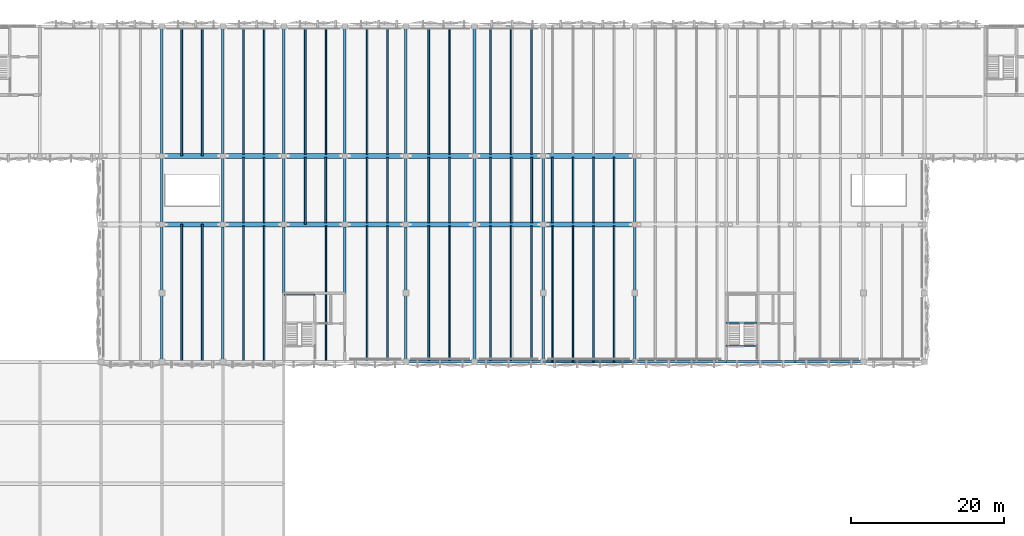
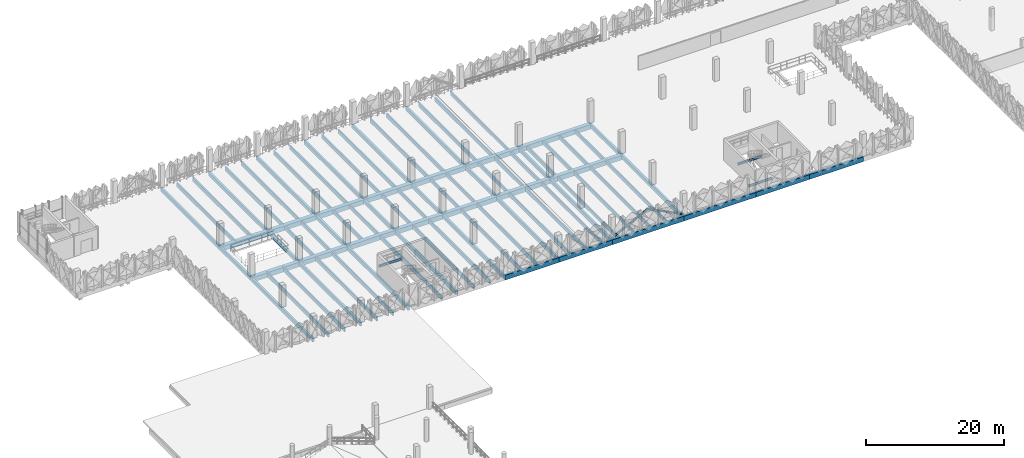
# One storey, part 14 of 76: 89 beams, 2 members.
"""IFC4 building model written with IfcOpenShell, lengths in metres."""

import ifcopenshell
import ifcopenshell.guid

model = None  # the IFC model being written
_history = None  # IfcOwnerHistory: only IFC2X3 demands one
_inside = {}  # id of a spatial element -> (the spatial element, [elements in it])
_under = {}  # id of a project, library or spatial element -> (it, [spatial elements below it])
_declared = {}  # id of a project -> (the project, [libraries it declares])
_typed = {}  # id of a type object -> (the type object, [elements of that type])
_made_of = {}  # id of a material, layer set ... -> (it, [elements and type objects made of it])


def new_model(schema):
    """Start an empty IFC model of exactly this schema.

    Asked for "IFC4X3", IfcOpenShell would pick the latest addendum, in which some entities
    have other attributes; the version numbers below select the first issue.
    IFC2X3 requires an IfcOwnerHistory on every rooted entity: one is made here for all.
    """
    global model, _history
    if schema == "IFC4X3":
        model = ifcopenshell.file(schema_version=(4, 3, 0, 0))
    else:
        model = ifcopenshell.file(schema=schema)
    _inside.clear()
    _under.clear()
    _declared.clear()
    _typed.clear()
    _made_of.clear()
    _history = None
    if model.schema == "IFC2X3":
        org = make("IfcOrganization", Name="unknown")
        user = make(
            "IfcPersonAndOrganization",
            ThePerson=make("IfcPerson", FamilyName="unknown"),
            TheOrganization=org,
        )
        app = make(
            "IfcApplication",
            ApplicationDeveloper=org,
            Version="unknown",
            ApplicationFullName="unknown",
            ApplicationIdentifier="unknown",
        )
        _history = make(
            "IfcOwnerHistory",
            OwningUser=user,
            OwningApplication=app,
            ChangeAction="ADDED",
            CreationDate=0,
        )
    return model


def make(cls, **values):
    """One entity of the class cls with the attributes given. An attribute that is None is left unset."""
    return model.create_entity(
        cls, **{name: value for name, value in values.items() if value is not None}
    )


def rooted(cls, **values):
    """An entity with a GlobalId (a new one), such as an element, a storey or a relation."""
    return make(cls, GlobalId=ifcopenshell.guid.new(), OwnerHistory=_history, **values)


def si_unit(unit_type, name, prefix=None):
    """IfcSIUnit, for example si_unit("LENGTHUNIT", "METRE", prefix="MILLI")."""
    return make("IfcSIUnit", UnitType=unit_type, Prefix=prefix, Name=name)


def derived_unit(unit_type, elements):
    """IfcDerivedUnit: a product of units, each with its exponent."""
    return make(
        "IfcDerivedUnit",
        Elements=[
            make("IfcDerivedUnitElement", Unit=unit, Exponent=power)
            for unit, power in elements
        ],
        UnitType=unit_type,
    )


def assignment(units):
    """IfcUnitAssignment: the units of a project."""
    return None if units is None else make("IfcUnitAssignment", Units=units)


def point(xyz):
    """IfcCartesianPoint."""
    return None if xyz is None else make("IfcCartesianPoint", Coordinates=xyz)


def direction(xyz):
    """IfcDirection."""
    return None if xyz is None else make("IfcDirection", DirectionRatios=xyz)


def frame(location, z_axis=None, x_axis=None):
    """IfcAxis2Placement3D, a coordinate frame: its origin and axes. An axis left out is left unset."""
    return make(
        "IfcAxis2Placement3D",
        Location=point(location),
        Axis=direction(z_axis),
        RefDirection=direction(x_axis),
    )


def frame_2d(location, x_axis=None):
    """IfcAxis2Placement2D, a coordinate frame in the plane: its origin and x axis."""
    return make(
        "IfcAxis2Placement2D", Location=point(location), RefDirection=direction(x_axis)
    )


def origin():
    """The frame at (0, 0, 0) with its axes left unset."""
    return frame((0.0, 0.0, 0.0))


def origin_2d():
    """The frame at (0, 0) in the plane with its x axis left unset."""
    return frame_2d((0.0, 0.0))


def place(relative_to, where):
    """IfcLocalPlacement: puts the frame where relative to a parent placement (None: the world)."""
    return make(
        "IfcLocalPlacement", PlacementRelTo=relative_to, RelativePlacement=where
    )


def context(
    kind, dimensions, precision=None, world=None, true_north=None, identifier=None
):
    """IfcGeometricRepresentationContext, for example the 3D "Model" context."""
    return make(
        "IfcGeometricRepresentationContext",
        ContextIdentifier=identifier,
        ContextType=kind,
        CoordinateSpaceDimension=dimensions,
        Precision=precision,
        WorldCoordinateSystem=world,
        TrueNorth=true_north,
    )


def subcontext(parent, identifier, kind, view, scale=None):
    """IfcGeometricRepresentationSubContext, for example "Body" below "Model"."""
    return make(
        "IfcGeometricRepresentationSubContext",
        ContextIdentifier=identifier,
        ContextType=kind,
        ParentContext=parent,
        TargetScale=scale,
        TargetView=view,
    )


def project(units=None, contexts=None):
    """IfcProject with its units and contexts."""
    return rooted(
        "IfcProject",
        Name="project",
        RepresentationContexts=contexts,
        UnitsInContext=assignment(units),
    )


def spatial(cls, under=None, at=None, **own):
    """A site, building, storey or space (cls), placed at a placement, below another one or the project."""
    s = rooted(cls, ObjectPlacement=at, **own)
    if under is not None:
        _under.setdefault(under.id(), (under, []))[1].append(s)
    return s


def profile(cls, at=None, kind="AREA", **sizes):
    """A parametric profile (cls). Its sizes go by their IFC names, for example OverallWidth=200.0."""
    return make(cls, ProfileType=kind, Position=at, **sizes)


def rectangle(**sizes):
    """IfcRectangleProfileDef."""
    return profile("IfcRectangleProfileDef", **sizes)


def hollow_circle(**sizes):
    """IfcCircleHollowProfileDef."""
    return profile("IfcCircleHollowProfileDef", **sizes)


def i_section(**sizes):
    """IfcIShapeProfileDef."""
    return profile("IfcIShapeProfileDef", **sizes)


def extrude(swept, where, along, depth):
    """IfcExtrudedAreaSolid: the profile swept, set in the frame where, extruded along a direction by depth."""
    return make(
        "IfcExtrudedAreaSolid",
        SweptArea=swept,
        Position=where,
        ExtrudedDirection=direction(along),
        Depth=depth,
    )


def shape(context_of_items, identifier, shape_type, items):
    """IfcShapeRepresentation: the items that make up one representation, for example the "Body"."""
    return make(
        "IfcShapeRepresentation",
        ContextOfItems=context_of_items,
        RepresentationIdentifier=identifier,
        RepresentationType=shape_type,
        Items=items,
    )


def material(Name=None, Category=None):
    """IfcMaterial."""
    return make("IfcMaterial", Name=Name, Category=Category)


def material_profile(
    of_material, cross_section, Name=None, Category=None, Priority=None
):
    """IfcMaterialProfile: a cross section and its material."""
    return make(
        "IfcMaterialProfile",
        Name=Name,
        Material=of_material,
        Profile=cross_section,
        Priority=Priority,
        Category=Category,
    )


def profile_set(profiles, Name=None, composite=None):
    """IfcMaterialProfileSet."""
    return make(
        "IfcMaterialProfileSet",
        Name=Name,
        MaterialProfiles=profiles,
        CompositeProfile=composite,
    )


def made_of(thing, what):
    """Note that an element or type object is made of a material, layer set ...; save() writes the relation."""
    if what is not None:
        _made_of.setdefault(what.id(), (what, []))[1].append(thing)
    return thing


def type_object(cls, material=None, **own):
    """A type object (cls), such as IfcWallType, which elements share."""
    return made_of(rooted(cls, **own), material)


def element(
    cls,
    number,
    at=None,
    inside=None,
    cuts=None,
    type_object=None,
    material=None,
    context=None,
    identifier="Body",
    shape_type=None,
    held_by="IfcProductDefinitionShape",
    body=None,
    shapes=None,
    **own,
):
    """One element of the class cls, such as IfcWall. Its Tag is "e" and its number.

    at: its placement. inside: the storey or other place that contains it. cuts: it is an
    opening in that element (IfcRelVoidsElement). A single representation is given by context,
    identifier, shape_type and body (its items); several are given by shapes. held_by: the class
    of the entity that holds the representations. save() writes the other relations.
    """
    e = rooted(cls, Tag="e%d" % number, ObjectPlacement=at, **own)
    if body is not None:
        shapes = [shape(context, identifier, shape_type, body)]
    if shapes is not None:
        e.Representation = make(held_by, Representations=shapes)
    if inside is not None:
        _inside.setdefault(inside.id(), (inside, []))[1].append(e)
    if cuts is not None:
        rooted(
            "IfcRelVoidsElement", RelatingBuildingElement=cuts, RelatedOpeningElement=e
        )
    if type_object is not None:
        _typed.setdefault(type_object.id(), (type_object, []))[1].append(e)
    return made_of(e, material)


def aggregate(whole, parts):
    """IfcRelAggregates: a whole, such as a stair, and the parts it consists of."""
    return rooted("IfcRelAggregates", RelatingObject=whole, RelatedObjects=parts)


def save(model, path):
    """Write the relations noted so far, then the file.

    IfcRelAggregates (storeys below a building ...), IfcRelContainedInSpatialStructure (elements
    in a storey), IfcRelDefinesByType, IfcRelAssociatesMaterial and IfcRelDeclares: one each for
    every whole, place, type object, material and project.
    """
    for whole, parts in _under.values():
        aggregate(whole, parts)
    for where, things in _inside.values():
        rooted(
            "IfcRelContainedInSpatialStructure",
            RelatedElements=things,
            RelatingStructure=where,
        )
    for kind, things in _typed.values():
        rooted("IfcRelDefinesByType", RelatedObjects=things, RelatingType=kind)
    for what, things in _made_of.values():
        rooted("IfcRelAssociatesMaterial", RelatedObjects=things, RelatingMaterial=what)
    for by, libraries in _declared.values():
        rooted("IfcRelDeclares", RelatingContext=by, RelatedDefinitions=libraries)
    model.write(path)


model = new_model("IFC4")

# Units and contexts
model_context = context("Model", 3, precision=1e-05, world=origin(), true_north=direction((0.0, 1.0)))
body_context = subcontext(model_context, "Body", "Model", "MODEL_VIEW")
ifc_project = project(units=[si_unit("LENGTHUNIT", "METRE"), si_unit("AREAUNIT", "SQUARE_METRE"), si_unit("VOLUMEUNIT", "CUBIC_METRE"), si_unit("PLANEANGLEUNIT", "RADIAN"), si_unit("MASSUNIT", "GRAM", prefix="KILO"), si_unit("THERMODYNAMICTEMPERATUREUNIT", "KELVIN"), derived_unit("THERMALTRANSMITTANCEUNIT", [(si_unit("POWERUNIT", "WATT"), 1), (si_unit("AREAUNIT", "SQUARE_METRE"), -1), (si_unit("THERMODYNAMICTEMPERATUREUNIT", "KELVIN"), -1)])], contexts=[model_context])

# Site, building, storey
site_placement = place(None, origin())
site = spatial("IfcSite", under=ifc_project, at=site_placement, CompositionType="ELEMENT")
building_placement = place(site_placement, origin())
building = spatial("IfcBuilding", under=site, at=building_placement, Name="Haiyu Intermodal Mobility Hub", CompositionType="ELEMENT")
storey_placement = place(building_placement, frame((0.0, 0.0, 17.300048828125)))
storey = spatial("IfcBuildingStorey", under=building, at=storey_placement, Name="L04", CompositionType="ELEMENT", Elevation=17.300048828125)

# Beams
ifc_material_1 = material(Name="Concrete C40", Category="concrete")
ifc_material_profile_1 = material_profile(ifc_material_1, rectangle(XDim=0.35009765625, YDim=0.64990234375, at=origin_2d()), Name="RCB350x650")
ifc_profile_set_1 = profile_set([ifc_material_profile_1], Name="Concrete C40")
beam_type_1 = type_object("IfcBeamType", Name="BM-CB04", PredefinedType="BEAM", material=ifc_profile_set_1)
beam_1_placement = place(storey_placement, frame((46.0, 104.0, -0.60009765625), z_axis=(0.0, 1.0, 0.0), x_axis=(-1.0, 0.0, 0.0)))
element("IfcBeam", 1, at=beam_1_placement, inside=storey, type_object=beam_type_1, Name="BM-V4E-L04-006", PredefinedType="BEAM", context=body_context, shape_type="SweptSolid", body=[
    extrude(rectangle(XDim=0.35009765625, YDim=0.64990234375, at=origin_2d()), origin(), (0.0, 0.0, 1.0), 18.0),
])
beam_2_placement = place(storey_placement, frame((46.0, 122.0, -0.60009765625), z_axis=(0.0, 1.0, 0.0), x_axis=(-1.0, 0.0, 0.0)))
element("IfcBeam", 2, at=beam_2_placement, inside=storey, type_object=beam_type_1, Name="BM-V4E-L04-007", PredefinedType="BEAM", context=body_context, shape_type="SweptSolid", body=[
    extrude(rectangle(XDim=0.35009765625, YDim=0.64990234375, at=origin_2d()), origin(), (0.0, 0.0, 1.0), 9.0),
])
beam_3_placement = place(storey_placement, frame((46.0, 131.0, -0.60009765625), z_axis=(0.0, 1.0, 0.0), x_axis=(-1.0, 0.0, 0.0)))
element("IfcBeam", 3, at=beam_3_placement, inside=storey, type_object=beam_type_1, Name="BM-V4E-L04-008", PredefinedType="BEAM", context=body_context, shape_type="SweptSolid", body=[
    extrude(rectangle(XDim=0.35009765625, YDim=0.64990234375, at=origin_2d()), origin(), (0.0, 0.0, 1.0), 17.0),
])
beam_4_placement = place(storey_placement, frame((54.0, 104.0, -0.60009765625), z_axis=(0.0, 1.0, 0.0), x_axis=(-1.0, 0.0, 0.0)))
element("IfcBeam", 4, at=beam_4_placement, inside=storey, type_object=beam_type_1, Name="BM-V4E-L04-009", PredefinedType="BEAM", context=body_context, shape_type="SweptSolid", body=[
    extrude(rectangle(XDim=0.35009765625, YDim=0.64990234375, at=origin_2d()), origin(), (0.0, 0.0, 1.0), 18.0),
])
beam_5_placement = place(storey_placement, frame((54.0, 122.0, -0.60009765625), z_axis=(0.0, 1.0, 0.0), x_axis=(-1.0, 0.0, 0.0)))
element("IfcBeam", 5, at=beam_5_placement, inside=storey, type_object=beam_type_1, Name="BM-V4E-L04-010", PredefinedType="BEAM", context=body_context, shape_type="SweptSolid", body=[
    extrude(rectangle(XDim=0.35009765625, YDim=0.64990234375, at=origin_2d()), origin(), (0.0, 0.0, 1.0), 9.0),
])
beam_6_placement = place(storey_placement, frame((54.0, 131.0, -0.60009765625), z_axis=(0.0, 1.0, 0.0), x_axis=(-1.0, 0.0, 0.0)))
element("IfcBeam", 6, at=beam_6_placement, inside=storey, type_object=beam_type_1, Name="BM-V4E-L04-011", PredefinedType="BEAM", context=body_context, shape_type="SweptSolid", body=[
    extrude(rectangle(XDim=0.35009765625, YDim=0.64990234375, at=origin_2d()), origin(), (0.0, 0.0, 1.0), 17.0),
])
beam_7_placement = place(storey_placement, frame((62.0, 104.0, -0.60009765625), z_axis=(0.0, 1.0, 0.0), x_axis=(-1.0, 0.0, 0.0)))
element("IfcBeam", 7, at=beam_7_placement, inside=storey, type_object=beam_type_1, Name="BM-V4E-L04-012", PredefinedType="BEAM", context=body_context, shape_type="SweptSolid", body=[
    extrude(rectangle(XDim=0.35009765625, YDim=0.64990234375, at=origin_2d()), origin(), (0.0, 0.0, 1.0), 18.0),
])
beam_8_placement = place(storey_placement, frame((62.0, 122.0, -0.60009765625), z_axis=(0.0, 1.0, 0.0), x_axis=(-1.0, 0.0, 0.0)))
element("IfcBeam", 8, at=beam_8_placement, inside=storey, type_object=beam_type_1, Name="BM-V4E-L04-013", PredefinedType="BEAM", context=body_context, shape_type="SweptSolid", body=[
    extrude(rectangle(XDim=0.35009765625, YDim=0.64990234375, at=origin_2d()), origin(), (0.0, 0.0, 1.0), 9.0),
])
beam_9_placement = place(storey_placement, frame((62.0, 131.0, -0.60009765625), z_axis=(0.0, 1.0, 0.0), x_axis=(-1.0, 0.0, 0.0)))
element("IfcBeam", 9, at=beam_9_placement, inside=storey, type_object=beam_type_1, Name="BM-V4E-L04-014", PredefinedType="BEAM", context=body_context, shape_type="SweptSolid", body=[
    extrude(rectangle(XDim=0.35009765625, YDim=0.64990234375, at=origin_2d()), origin(), (0.0, 0.0, 1.0), 17.0),
])
beam_10_placement = place(storey_placement, frame((70.0, 104.0, -0.60009765625), z_axis=(0.0, 1.0, 0.0), x_axis=(-1.0, 0.0, 0.0)))
element("IfcBeam", 10, at=beam_10_placement, inside=storey, type_object=beam_type_1, Name="BM-V4E-L04-015", PredefinedType="BEAM", context=body_context, shape_type="SweptSolid", body=[
    extrude(rectangle(XDim=0.35009765625, YDim=0.64990234375, at=origin_2d()), origin(), (0.0, 0.0, 1.0), 18.0),
])
beam_11_placement = place(storey_placement, frame((70.0, 122.0, -0.60009765625), z_axis=(0.0, 1.0, 0.0), x_axis=(-1.0, 0.0, 0.0)))
element("IfcBeam", 11, at=beam_11_placement, inside=storey, type_object=beam_type_1, Name="BM-V4E-L04-016", PredefinedType="BEAM", context=body_context, shape_type="SweptSolid", body=[
    extrude(rectangle(XDim=0.35009765625, YDim=0.64990234375, at=origin_2d()), origin(), (0.0, 0.0, 1.0), 9.0),
])
beam_12_placement = place(storey_placement, frame((70.0, 131.0, -0.60009765625), z_axis=(0.0, 1.0, 0.0), x_axis=(-1.0, 0.0, 0.0)))
element("IfcBeam", 12, at=beam_12_placement, inside=storey, type_object=beam_type_1, Name="BM-V4E-L04-017", PredefinedType="BEAM", context=body_context, shape_type="SweptSolid", body=[
    extrude(rectangle(XDim=0.35009765625, YDim=0.64990234375, at=origin_2d()), origin(), (0.0, 0.0, 1.0), 17.0),
])
beam_13_placement = place(storey_placement, frame((78.0, 104.0, -0.60009765625), z_axis=(0.0, 1.0, 0.0), x_axis=(-1.0, 0.0, 0.0)))
element("IfcBeam", 13, at=beam_13_placement, inside=storey, type_object=beam_type_1, Name="BM-V4E-L04-018", PredefinedType="BEAM", context=body_context, shape_type="SweptSolid", body=[
    extrude(rectangle(XDim=0.35009765625, YDim=0.64990234375, at=origin_2d()), origin(), (0.0, 0.0, 1.0), 18.0),
])
beam_14_placement = place(storey_placement, frame((78.0, 122.0, -0.60009765625), z_axis=(0.0, 1.0, 0.0), x_axis=(-1.0, 0.0, 0.0)))
element("IfcBeam", 14, at=beam_14_placement, inside=storey, type_object=beam_type_1, Name="BM-V4E-L04-019", PredefinedType="BEAM", context=body_context, shape_type="SweptSolid", body=[
    extrude(rectangle(XDim=0.35009765625, YDim=0.64990234375, at=origin_2d()), origin(), (0.0, 0.0, 1.0), 9.0),
])
beam_15_placement = place(storey_placement, frame((78.0, 131.0, -0.60009765625), z_axis=(0.0, 1.0, 0.0), x_axis=(-1.0, 0.0, 0.0)))
element("IfcBeam", 15, at=beam_15_placement, inside=storey, type_object=beam_type_1, Name="BM-V4E-L04-020", PredefinedType="BEAM", context=body_context, shape_type="SweptSolid", body=[
    extrude(rectangle(XDim=0.35009765625, YDim=0.64990234375, at=origin_2d()), origin(), (0.0, 0.0, 1.0), 17.0),
])
beam_16_placement = place(storey_placement, frame((87.0, 104.0, -0.60009765625), z_axis=(0.0, 1.0, 0.0), x_axis=(-1.0, 0.0, 0.0)))
element("IfcBeam", 16, at=beam_16_placement, inside=storey, type_object=beam_type_1, Name="BM-V4E-L04-021", PredefinedType="BEAM", context=body_context, shape_type="SweptSolid", body=[
    extrude(rectangle(XDim=0.35009765625, YDim=0.64990234375, at=origin_2d()), origin(), (0.0, 0.0, 1.0), 18.0),
])
beam_17_placement = place(storey_placement, frame((87.0, 122.0, -0.60009765625), z_axis=(0.0, 1.0, 0.0), x_axis=(-1.0, 0.0, 0.0)))
element("IfcBeam", 17, at=beam_17_placement, inside=storey, type_object=beam_type_1, Name="BM-V4E-L04-022", PredefinedType="BEAM", context=body_context, shape_type="SweptSolid", body=[
    extrude(rectangle(XDim=0.35009765625, YDim=0.64990234375, at=origin_2d()), origin(), (0.0, 0.0, 1.0), 9.0),
])
beam_18_placement = place(storey_placement, frame((87.0, 131.0, -0.60009765625), z_axis=(0.0, 1.0, 0.0), x_axis=(-1.0, 0.0, 0.0)))
element("IfcBeam", 18, at=beam_18_placement, inside=storey, type_object=beam_type_1, Name="BM-V4E-L04-023", PredefinedType="BEAM", context=body_context, shape_type="SweptSolid", body=[
    extrude(rectangle(XDim=0.35009765625, YDim=0.64990234375, at=origin_2d()), origin(), (0.0, 0.0, 1.0), 17.0),
])
beam_19_placement = place(storey_placement, frame((96.0, 104.0, -0.60009765625), z_axis=(0.0, 1.0, 0.0), x_axis=(-1.0, 0.0, 0.0)))
element("IfcBeam", 19, at=beam_19_placement, inside=storey, type_object=beam_type_1, Name="BM-V4E-L04-024", PredefinedType="BEAM", context=body_context, shape_type="SweptSolid", body=[
    extrude(rectangle(XDim=0.35009765625, YDim=0.64990234375, at=origin_2d()), origin(), (0.0, 0.0, 1.0), 18.0),
])
beam_20_placement = place(storey_placement, frame((96.0, 122.0, -0.60009765625), z_axis=(0.0, 1.0, 0.0), x_axis=(-1.0, 0.0, 0.0)))
element("IfcBeam", 20, at=beam_20_placement, inside=storey, type_object=beam_type_1, Name="BM-V4E-L04-025", PredefinedType="BEAM", context=body_context, shape_type="SweptSolid", body=[
    extrude(rectangle(XDim=0.35009765625, YDim=0.64990234375, at=origin_2d()), origin(), (0.0, 0.0, 1.0), 9.0),
])
beam_21_placement = place(storey_placement, frame((108.0, 104.0, -0.60009765625), z_axis=(0.0, 1.0, 0.0), x_axis=(-1.0, 0.0, 0.0)))
element("IfcBeam", 21, at=beam_21_placement, inside=storey, type_object=beam_type_1, Name="BM-V4E-L04-027", PredefinedType="BEAM", context=body_context, shape_type="SweptSolid", body=[
    extrude(rectangle(XDim=0.35009765625, YDim=0.64990234375, at=origin_2d()), origin(), (0.0, 0.0, 1.0), 18.0),
])
beam_22_placement = place(storey_placement, frame((108.0, 122.0, -0.60009765625), z_axis=(0.0, 1.0, 0.0), x_axis=(-1.0, 0.0, 0.0)))
element("IfcBeam", 22, at=beam_22_placement, inside=storey, type_object=beam_type_1, Name="BM-V4E-L04-028", PredefinedType="BEAM", context=body_context, shape_type="SweptSolid", body=[
    extrude(rectangle(XDim=0.35009765625, YDim=0.64990234375, at=origin_2d()), origin(), (0.0, 0.0, 1.0), 9.0),
])
ifc_material_2 = material(Name="Precast concrete C50", Category="concrete")
ifc_material_profile_2 = material_profile(ifc_material_2, rectangle(XDim=0.219970703125, YDim=0.719970703125, at=origin_2d()), Name="PC220x720")
ifc_profile_set_2 = profile_set([ifc_material_profile_2], Name="Precast concrete C50")
beam_type_2 = type_object("IfcBeamType", Name="BM-DT02", PredefinedType="JOIST", material=ifc_profile_set_2)
beam_23_placement = place(storey_placement, frame((48.60009765625, 104.0, -0.635009765625), z_axis=(0.0, 1.0, 0.0), x_axis=(-1.0, 0.0, 0.0)))
element("IfcBeam", 23, at=beam_23_placement, inside=storey, type_object=beam_type_2, Name="BM-DT-L04-007", PredefinedType="JOIST", context=body_context, shape_type="SweptSolid", body=[
    extrude(rectangle(XDim=0.219970703125, YDim=0.719970703125, at=origin_2d()), origin(), (0.0, 0.0, 1.0), 18.0),
])
beam_24_placement = place(storey_placement, frame((48.60009765625, 131.0, -0.635009765625), z_axis=(0.0, 1.0, 0.0), x_axis=(-1.0, 0.0, 0.0)))
element("IfcBeam", 24, at=beam_24_placement, inside=storey, type_object=beam_type_2, Name="BM-DT-L04-008", PredefinedType="JOIST", context=body_context, shape_type="SweptSolid", body=[
    extrude(rectangle(XDim=0.219970703125, YDim=0.719970703125, at=origin_2d()), origin(), (0.0, 0.0, 1.0), 17.0),
])
beam_25_placement = place(storey_placement, frame((51.300048828125, 104.0, -0.635009765625), z_axis=(0.0, 1.0, 0.0), x_axis=(-1.0, 0.0, 0.0)))
element("IfcBeam", 25, at=beam_25_placement, inside=storey, type_object=beam_type_2, Name="BM-DT-L04-009", PredefinedType="JOIST", context=body_context, shape_type="SweptSolid", body=[
    extrude(rectangle(XDim=0.219970703125, YDim=0.719970703125, at=origin_2d()), origin(), (0.0, 0.0, 1.0), 18.0),
])
beam_26_placement = place(storey_placement, frame((51.300048828125, 131.0, -0.635009765625), z_axis=(0.0, 1.0, 0.0), x_axis=(-1.0, 0.0, 0.0)))
element("IfcBeam", 26, at=beam_26_placement, inside=storey, type_object=beam_type_2, Name="BM-DT-L04-010", PredefinedType="JOIST", context=body_context, shape_type="SweptSolid", body=[
    extrude(rectangle(XDim=0.219970703125, YDim=0.719970703125, at=origin_2d()), origin(), (0.0, 0.0, 1.0), 17.0),
])
beam_27_placement = place(storey_placement, frame((56.699951171875, 104.0, -0.635009765625), z_axis=(0.0, 1.0, 0.0), x_axis=(-1.0, 0.0, 0.0)))
element("IfcBeam", 27, at=beam_27_placement, inside=storey, type_object=beam_type_2, Name="BM-DT-L04-011", PredefinedType="JOIST", context=body_context, shape_type="SweptSolid", body=[
    extrude(rectangle(XDim=0.219970703125, YDim=0.719970703125, at=origin_2d()), origin(), (0.0, 0.0, 1.0), 17.804931640625),
])
beam_28_placement = place(storey_placement, frame((56.699951171875, 131.195068359375, -0.635009765625), z_axis=(0.0, 1.0, 0.0), x_axis=(-1.0, 0.0, 0.0)))
element("IfcBeam", 28, at=beam_28_placement, inside=storey, type_object=beam_type_2, Name="BM-DT-L04-013", PredefinedType="JOIST", context=body_context, shape_type="SweptSolid", body=[
    extrude(rectangle(XDim=0.219970703125, YDim=0.719970703125, at=origin_2d()), origin(), (0.0, 0.0, 1.0), 16.804931640625),
])
beam_29_placement = place(storey_placement, frame((59.39990234375, 104.0, -0.635009765625), z_axis=(0.0, 1.0, 0.0), x_axis=(-1.0, 0.0, 0.0)))
element("IfcBeam", 29, at=beam_29_placement, inside=storey, type_object=beam_type_2, Name="BM-DT-L04-014", PredefinedType="JOIST", context=body_context, shape_type="SweptSolid", body=[
    extrude(rectangle(XDim=0.219970703125, YDim=0.719970703125, at=origin_2d()), origin(), (0.0, 0.0, 1.0), 17.804931640625),
])
for number, where, z_axis, x_axis, name in (
    (30, (59.39990234375, 131.195068359375, -0.635009765625), (0.0, 1.0, 0.0), (-1.0, 0.0, 0.0), "BM-DT-L04-016"),
    (31, (64.800048828125, 131.195068359375, -0.635009765625), (0.0, 1.0, 0.0), (-1.0, 0.0, 0.0), "BM-DT-L04-019"),
):
    element("IfcBeam", number, at=place(storey_placement, frame(where, z_axis=z_axis, x_axis=x_axis)), inside=storey, type_object=beam_type_2, Name=name, PredefinedType="JOIST", context=body_context, shape_type="SweptSolid", body=[
        extrude(rectangle(XDim=0.219970703125, YDim=0.719970703125, at=origin_2d()), origin(), (0.0, 0.0, 1.0), 16.804931640625),
    ])
beam_30_placement = place(storey_placement, frame((67.5, 104.0, -0.635009765625), z_axis=(0.0, 1.0, 0.0), x_axis=(-1.0, 0.0, 0.0)))
element("IfcBeam", 32, at=beam_30_placement, inside=storey, type_object=beam_type_2, Name="BM-DT-L04-020", PredefinedType="JOIST", context=body_context, shape_type="SweptSolid", body=[
    extrude(rectangle(XDim=0.219970703125, YDim=0.719970703125, at=origin_2d()), origin(), (0.0, 0.0, 1.0), 17.804931640625),
])
beam_31_placement = place(storey_placement, frame((67.5, 131.195068359375, -0.635009765625), z_axis=(0.0, 1.0, 0.0), x_axis=(-1.0, 0.0, 0.0)))
element("IfcBeam", 33, at=beam_31_placement, inside=storey, type_object=beam_type_2, Name="BM-DT-L04-022", PredefinedType="JOIST", context=body_context, shape_type="SweptSolid", body=[
    extrude(rectangle(XDim=0.219970703125, YDim=0.719970703125, at=origin_2d()), origin(), (0.0, 0.0, 1.0), 16.804931640625),
])
beam_32_placement = place(storey_placement, frame((72.89990234375, 104.0, -0.635009765625), z_axis=(0.0, 1.0, 0.0), x_axis=(-1.0, 0.0, 0.0)))
element("IfcBeam", 34, at=beam_32_placement, inside=storey, type_object=beam_type_2, Name="BM-DT-L04-023", PredefinedType="JOIST", context=body_context, shape_type="SweptSolid", body=[
    extrude(rectangle(XDim=0.219970703125, YDim=0.719970703125, at=origin_2d()), origin(), (0.0, 0.0, 1.0), 17.804931640625),
])
beam_33_placement = place(storey_placement, frame((72.89990234375, 131.195068359375, -0.635009765625), z_axis=(0.0, 1.0, 0.0), x_axis=(-1.0, 0.0, 0.0)))
element("IfcBeam", 35, at=beam_33_placement, inside=storey, type_object=beam_type_2, Name="BM-DT-L04-025", PredefinedType="JOIST", context=body_context, shape_type="SweptSolid", body=[
    extrude(rectangle(XDim=0.219970703125, YDim=0.719970703125, at=origin_2d()), origin(), (0.0, 0.0, 1.0), 16.804931640625),
])
beam_34_placement = place(storey_placement, frame((75.60009765625, 104.0, -0.635009765625), z_axis=(0.0, 1.0, 0.0), x_axis=(-1.0, 0.0, 0.0)))
element("IfcBeam", 36, at=beam_34_placement, inside=storey, type_object=beam_type_2, Name="BM-DT-L04-026", PredefinedType="JOIST", context=body_context, shape_type="SweptSolid", body=[
    extrude(rectangle(XDim=0.219970703125, YDim=0.719970703125, at=origin_2d()), origin(), (0.0, 0.0, 1.0), 17.804931640625),
])
beam_35_placement = place(storey_placement, frame((75.60009765625, 131.195068359375, -0.635009765625), z_axis=(0.0, 1.0, 0.0), x_axis=(-1.0, 0.0, 0.0)))
element("IfcBeam", 37, at=beam_35_placement, inside=storey, type_object=beam_type_2, Name="BM-DT-L04-028", PredefinedType="JOIST", context=body_context, shape_type="SweptSolid", body=[
    extrude(rectangle(XDim=0.219970703125, YDim=0.719970703125, at=origin_2d()), origin(), (0.0, 0.0, 1.0), 16.804931640625),
])
beam_36_placement = place(storey_placement, frame((81.0, 104.0, -0.635009765625), z_axis=(0.0, 1.0, 0.0), x_axis=(-1.0, 0.0, 0.0)))
element("IfcBeam", 38, at=beam_36_placement, inside=storey, type_object=beam_type_2, Name="BM-DT-L04-029", PredefinedType="JOIST", context=body_context, shape_type="SweptSolid", body=[
    extrude(rectangle(XDim=0.219970703125, YDim=0.719970703125, at=origin_2d()), origin(), (0.0, 0.0, 1.0), 17.804931640625),
])
beam_37_placement = place(storey_placement, frame((81.0, 131.195068359375, -0.635009765625), z_axis=(0.0, 1.0, 0.0), x_axis=(-1.0, 0.0, 0.0)))
element("IfcBeam", 39, at=beam_37_placement, inside=storey, type_object=beam_type_2, Name="BM-DT-L04-031", PredefinedType="JOIST", context=body_context, shape_type="SweptSolid", body=[
    extrude(rectangle(XDim=0.219970703125, YDim=0.719970703125, at=origin_2d()), origin(), (0.0, 0.0, 1.0), 16.804931640625),
])
beam_38_placement = place(storey_placement, frame((83.699951171875, 104.0, -0.635009765625), z_axis=(0.0, 1.0, 0.0), x_axis=(-1.0, 0.0, 0.0)))
element("IfcBeam", 40, at=beam_38_placement, inside=storey, type_object=beam_type_2, Name="BM-DT-L04-032", PredefinedType="JOIST", context=body_context, shape_type="SweptSolid", body=[
    extrude(rectangle(XDim=0.219970703125, YDim=0.719970703125, at=origin_2d()), origin(), (0.0, 0.0, 1.0), 17.804931640625),
])
beam_39_placement = place(storey_placement, frame((83.699951171875, 131.195068359375, -0.635009765625), z_axis=(0.0, 1.0, 0.0), x_axis=(-1.0, 0.0, 0.0)))
element("IfcBeam", 41, at=beam_39_placement, inside=storey, type_object=beam_type_2, Name="BM-DT-L04-034", PredefinedType="JOIST", context=body_context, shape_type="SweptSolid", body=[
    extrude(rectangle(XDim=0.219970703125, YDim=0.719970703125, at=origin_2d()), origin(), (0.0, 0.0, 1.0), 16.804931640625),
])
beam_40_placement = place(storey_placement, frame((89.10009765625, 104.0, -0.635009765625), z_axis=(0.0, 1.0, 0.0), x_axis=(-1.0, 0.0, 0.0)))
element("IfcBeam", 42, at=beam_40_placement, inside=storey, type_object=beam_type_2, Name="BM-DT-L04-035", PredefinedType="JOIST", context=body_context, shape_type="SweptSolid", body=[
    extrude(rectangle(XDim=0.219970703125, YDim=0.719970703125, at=origin_2d()), origin(), (0.0, 0.0, 1.0), 17.804931640625),
])
beam_41_placement = place(storey_placement, frame((89.10009765625, 131.195068359375, -0.635009765625), z_axis=(0.0, 1.0, 0.0), x_axis=(-1.0, 0.0, 0.0)))
element("IfcBeam", 43, at=beam_41_placement, inside=storey, type_object=beam_type_2, Name="BM-DT-L04-037", PredefinedType="JOIST", context=body_context, shape_type="SweptSolid", body=[
    extrude(rectangle(XDim=0.219970703125, YDim=0.719970703125, at=origin_2d()), origin(), (0.0, 0.0, 1.0), 16.804931640625),
])
beam_42_placement = place(storey_placement, frame((91.800048828125, 104.0, -0.635009765625), z_axis=(0.0, 1.0, 0.0), x_axis=(-1.0, 0.0, 0.0)))
element("IfcBeam", 44, at=beam_42_placement, inside=storey, type_object=beam_type_2, Name="BM-DT-L04-038", PredefinedType="JOIST", context=body_context, shape_type="SweptSolid", body=[
    extrude(rectangle(XDim=0.219970703125, YDim=0.719970703125, at=origin_2d()), origin(), (0.0, 0.0, 1.0), 17.804931640625),
])
beam_43_placement = place(storey_placement, frame((91.800048828125, 131.195068359375, -0.635009765625), z_axis=(0.0, 1.0, 0.0), x_axis=(-1.0, 0.0, 0.0)))
element("IfcBeam", 45, at=beam_43_placement, inside=storey, type_object=beam_type_2, Name="BM-DT-L04-040", PredefinedType="JOIST", context=body_context, shape_type="SweptSolid", body=[
    extrude(rectangle(XDim=0.219970703125, YDim=0.719970703125, at=origin_2d()), origin(), (0.0, 0.0, 1.0), 16.804931640625),
])
ifc_material_profile_3 = material_profile(ifc_material_2, rectangle(XDim=0.199951171875, YDim=0.659912109375, at=origin_2d()), Name="PC200x660")
ifc_profile_set_3 = profile_set([ifc_material_profile_3], Name="Precast concrete C50")
beam_type_3 = type_object("IfcBeamType", Name="BM-DT03", PredefinedType="JOIST", material=ifc_profile_set_3)
beam_44_placement = place(storey_placement, frame((94.5, 104.0, -0.60498046875), z_axis=(0.0, 1.0, 0.0), x_axis=(-1.0, 0.0, 0.0)))
element("IfcBeam", 46, at=beam_44_placement, inside=storey, type_object=beam_type_3, Name="BM-DT-L04-041", PredefinedType="JOIST", context=body_context, shape_type="SweptSolid", body=[
    extrude(rectangle(XDim=0.199951171875, YDim=0.659912109375, at=origin_2d()), origin(), (0.0, 0.0, 1.0), 17.804931640625),
])
beam_45_placement = place(storey_placement, frame((94.5, 131.195068359375, -0.60498046875), z_axis=(0.0, 1.0, 0.0), x_axis=(-1.0, 0.0, 0.0)))
element("IfcBeam", 47, at=beam_45_placement, inside=storey, type_object=beam_type_3, Name="BM-DT-L04-043", PredefinedType="JOIST", context=body_context, shape_type="SweptSolid", body=[
    extrude(rectangle(XDim=0.199951171875, YDim=0.659912109375, at=origin_2d()), origin(), (0.0, 0.0, 1.0), 16.804931640625),
])
for number, where, z_axis, x_axis, name in (
    (48, (97.199951171875, 104.0, -0.60498046875), (0.0, 1.0, 0.0), (-1.0, 0.0, 0.0), "BM-DT-L04-044"),
    (49, (99.89990234375, 104.0, -0.60498046875), (0.0, 1.0, 0.0), (-1.0, 0.0, 0.0), "BM-DT-L04-047"),
    (50, (102.60009765625, 104.0, -0.60498046875), (0.0, 1.0, 0.0), (-1.0, 0.0, 0.0), "BM-DT-L04-050"),
    (51, (105.300048828125, 104.0, -0.60498046875), (0.0, 1.0, 0.0), (-1.0, 0.0, 0.0), "BM-DT-L04-053"),
):
    element("IfcBeam", number, at=place(storey_placement, frame(where, z_axis=z_axis, x_axis=x_axis)), inside=storey, type_object=beam_type_3, Name=name, PredefinedType="JOIST", context=body_context, shape_type="SweptSolid", body=[
        extrude(rectangle(XDim=0.199951171875, YDim=0.659912109375, at=origin_2d()), origin(), (0.0, 0.0, 1.0), 17.804931640625),
    ])
ifc_material_profile_4 = material_profile(ifc_material_2, rectangle(XDim=0.22998046875, YDim=0.68994140625, at=origin_2d()), Name="B230x690")
ifc_profile_set_4 = profile_set([ifc_material_profile_4], Name="Precast concrete C50")
beam_type_4 = type_object("IfcBeamType", Name="BM-DT06", PredefinedType="JOIST", material=ifc_profile_set_4)
for number, where, z_axis, x_axis, name in (
    (52, (56.699951171875, 122.195068359375, -0.6201171875), (0.0, 1.0, 0.0), (-1.0, 0.0, 0.0), "BM-DT-L04-012"),
    (53, (59.39990234375, 122.195068359375, -0.6201171875), (0.0, 1.0, 0.0), (-1.0, 0.0, 0.0), "BM-DT-L04-015"),
):
    element("IfcBeam", number, at=place(storey_placement, frame(where, z_axis=z_axis, x_axis=x_axis)), inside=storey, type_object=beam_type_4, Name=name, PredefinedType="JOIST", context=body_context, shape_type="SweptSolid", body=[
        extrude(rectangle(XDim=0.22998046875, YDim=0.68994140625, at=origin_2d()), origin(), (0.0, 0.0, 1.0), 8.60986328125),
    ])
beam_46_placement = place(storey_placement, frame((64.800048828125, 122.0, -0.6201171875), z_axis=(0.0, 1.0, 0.0), x_axis=(-1.0, 0.0, 0.0)))
element("IfcBeam", 54, at=beam_46_placement, inside=storey, type_object=beam_type_4, Name="BM-DT-L04-018", PredefinedType="JOIST", context=body_context, shape_type="SweptSolid", body=[
    extrude(rectangle(XDim=0.22998046875, YDim=0.68994140625, at=origin_2d()), origin(), (0.0, 0.0, 1.0), 8.804931640625),
])
for number, where, z_axis, x_axis, name in (
    (55, (67.5, 122.195068359375, -0.6201171875), (0.0, 1.0, 0.0), (-1.0, 0.0, 0.0), "BM-DT-L04-021"),
    (56, (72.89990234375, 122.195068359375, -0.6201171875), (0.0, 1.0, 0.0), (-1.0, 0.0, 0.0), "BM-DT-L04-024"),
    (57, (75.60009765625, 122.195068359375, -0.6201171875), (0.0, 1.0, 0.0), (-1.0, 0.0, 0.0), "BM-DT-L04-027"),
    (58, (81.0, 122.195068359375, -0.6201171875), (0.0, 1.0, 0.0), (-1.0, 0.0, 0.0), "BM-DT-L04-030"),
    (59, (83.699951171875, 122.195068359375, -0.6201171875), (0.0, 1.0, 0.0), (-1.0, 0.0, 0.0), "BM-DT-L04-033"),
    (60, (89.10009765625, 122.195068359375, -0.6201171875), (0.0, 1.0, 0.0), (-1.0, 0.0, 0.0), "BM-DT-L04-036"),
    (61, (91.800048828125, 122.195068359375, -0.6201171875), (0.0, 1.0, 0.0), (-1.0, 0.0, 0.0), "BM-DT-L04-039"),
    (62, (94.5, 122.195068359375, -0.6201171875), (0.0, 1.0, 0.0), (-1.0, 0.0, 0.0), "BM-DT-L04-042"),
    (63, (97.199951171875, 122.195068359375, -0.6201171875), (0.0, 1.0, 0.0), (-1.0, 0.0, 0.0), "BM-DT-L04-045"),
    (64, (99.89990234375, 122.195068359375, -0.6201171875), (0.0, 1.0, 0.0), (-1.0, 0.0, 0.0), "BM-DT-L04-048"),
    (65, (102.60009765625, 122.195068359375, -0.6201171875), (0.0, 1.0, 0.0), (-1.0, 0.0, 0.0), "BM-DT-L04-051"),
    (66, (105.300048828125, 122.195068359375, -0.6201171875), (0.0, 1.0, 0.0), (-1.0, 0.0, 0.0), "BM-DT-L04-054"),
):
    element("IfcBeam", number, at=place(storey_placement, frame(where, z_axis=z_axis, x_axis=x_axis)), inside=storey, type_object=beam_type_4, Name=name, PredefinedType="JOIST", context=body_context, shape_type="SweptSolid", body=[
        extrude(rectangle(XDim=0.22998046875, YDim=0.68994140625, at=origin_2d()), origin(), (0.0, 0.0, 1.0), 8.60986328125),
    ])
ifc_material_profile_5 = material_profile(ifc_material_2, rectangle(XDim=0.679931640625, YDim=0.820068359375, at=origin_2d()), Name="B680x820")
ifc_profile_set_5 = profile_set([ifc_material_profile_5], Name="Precast concrete C50")
beam_type_5 = type_object("IfcBeamType", Name="BM-IT05", PredefinedType="T_BEAM", material=ifc_profile_set_5)
for number, where, z_axis, x_axis, name in (
    (67, (46.0, 122.0, -0.68505859375), (1.0, 0.0, 0.0), (0.0, 1.0, 0.0), "BM-V4G-L04-014"),
    (68, (54.0, 122.0, -0.68505859375), (1.0, 0.0, 0.0), (0.0, 1.0, 0.0), "BM-V4G-L04-015"),
    (69, (62.0, 122.0, -0.68505859375), (1.0, 0.0, 0.0), (0.0, 1.0, 0.0), "BM-V4G-L04-016"),
    (70, (70.0, 122.0, -0.68505859375), (1.0, 0.0, 0.0), (0.0, 1.0, 0.0), "BM-V4G-L04-017"),
):
    element("IfcBeam", number, at=place(storey_placement, frame(where, z_axis=z_axis, x_axis=x_axis)), inside=storey, type_object=beam_type_5, Name=name, PredefinedType="T_BEAM", context=body_context, shape_type="SweptSolid", body=[
        extrude(rectangle(XDim=0.679931640625, YDim=0.820068359375, at=origin_2d()), origin(), (0.0, 0.0, 1.0), 8.0),
    ])
for number, where, z_axis, x_axis, name in (
    (71, (78.0, 122.0, -0.68505859375), (1.0, 0.0, 0.0), (0.0, 1.0, 0.0), "BM-V4G-L04-018"),
    (72, (87.0, 122.0, -0.68505859375), (1.0, 0.0, 0.0), (0.0, 1.0, 0.0), "BM-V4G-L04-019"),
):
    element("IfcBeam", number, at=place(storey_placement, frame(where, z_axis=z_axis, x_axis=x_axis)), inside=storey, type_object=beam_type_5, Name=name, PredefinedType="T_BEAM", context=body_context, shape_type="SweptSolid", body=[
        extrude(rectangle(XDim=0.679931640625, YDim=0.820068359375, at=origin_2d()), origin(), (0.0, 0.0, 1.0), 9.0),
    ])
beam_47_placement = place(storey_placement, frame((96.0, 122.0, -0.68505859375), z_axis=(1.0, 0.0, 0.0), x_axis=(0.0, 1.0, 0.0)))
element("IfcBeam", 73, at=beam_47_placement, inside=storey, type_object=beam_type_5, Name="BM-V4G-L04-020", PredefinedType="T_BEAM", context=body_context, shape_type="SweptSolid", body=[
    extrude(rectangle(XDim=0.679931640625, YDim=0.820068359375, at=origin_2d()), origin(), (0.0, 0.0, 1.0), 12.0),
])
for number, where, z_axis, x_axis, name in (
    (74, (46.0, 131.0, -0.68505859375), (1.0, 0.0, 0.0), (0.0, 1.0, 0.0), "BM-V4G-L04-028"),
    (75, (54.0, 131.0, -0.68505859375), (1.0, 0.0, 0.0), (0.0, 1.0, 0.0), "BM-V4G-L04-029"),
    (76, (62.0, 131.0, -0.68505859375), (1.0, 0.0, 0.0), (0.0, 1.0, 0.0), "BM-V4G-L04-030"),
    (77, (70.0, 131.0, -0.68505859375), (1.0, 0.0, 0.0), (0.0, 1.0, 0.0), "BM-V4G-L04-031"),
):
    element("IfcBeam", number, at=place(storey_placement, frame(where, z_axis=z_axis, x_axis=x_axis)), inside=storey, type_object=beam_type_5, Name=name, PredefinedType="T_BEAM", context=body_context, shape_type="SweptSolid", body=[
        extrude(rectangle(XDim=0.679931640625, YDim=0.820068359375, at=origin_2d()), origin(), (0.0, 0.0, 1.0), 8.0),
    ])
for number, where, z_axis, x_axis, name in (
    (78, (78.0, 131.0, -0.68505859375), (1.0, 0.0, 0.0), (0.0, 1.0, 0.0), "BM-V4G-L04-032"),
    (79, (87.0, 131.0, -0.68505859375), (1.0, 0.0, 0.0), (0.0, 1.0, 0.0), "BM-V4G-L04-033"),
):
    element("IfcBeam", number, at=place(storey_placement, frame(where, z_axis=z_axis, x_axis=x_axis)), inside=storey, type_object=beam_type_5, Name=name, PredefinedType="T_BEAM", context=body_context, shape_type="SweptSolid", body=[
        extrude(rectangle(XDim=0.679931640625, YDim=0.820068359375, at=origin_2d()), origin(), (0.0, 0.0, 1.0), 9.0),
    ])
beam_48_placement = place(storey_placement, frame((96.0, 131.0, -0.68505859375), z_axis=(1.0, 0.0, 0.0), x_axis=(0.0, 1.0, 0.0)))
element("IfcBeam", 80, at=beam_48_placement, inside=storey, type_object=beam_type_5, Name="BM-V4G-L04-034", PredefinedType="T_BEAM", context=body_context, shape_type="SweptSolid", body=[
    extrude(rectangle(XDim=0.679931640625, YDim=0.820068359375, at=origin_2d()), origin(), (0.0, 0.0, 1.0), 12.0),
])
ifc_material_3 = material(Name="Steel Q355C", Category="steel")
ifc_material_profile_6 = material_profile(ifc_material_3, i_section(OverallWidth=0.199951171875, OverallDepth=0.39990234375, WebThickness=0.008056640625, FlangeThickness=0.012939453125, FilletRadius=0.01611328125, at=origin_2d()), Name="HN400x200x8x13")
ifc_profile_set_6 = profile_set([ifc_material_profile_6], Name="Steel Q355C")
beam_type_6 = type_object("IfcBeamType", Name="BM-SB08", PredefinedType="JOIST", material=ifc_profile_set_6)
for number, where, z_axis, x_axis, name in (
    (81, (62.0, 112.780029296875, 1.52490234375), (1.0, 0.0, 0.0), (0.0, 1.0, 0.0), "Stair Half-Landing Rear Beam C5-L04"),
    (82, (120.0, 106.10009765625, -0.525146484375), (1.0, 0.0, 0.0), (0.0, 1.0, 0.0), "Stair Arrival Trimmer Beam C6-L03"),
    (83, (120.0, 109.1298828125, 1.52490234375), (1.0, 0.0, 0.0), (0.0, 1.0, 0.0), "Stair Half-Landing Front Beam C6-L04"),
):
    element("IfcBeam", number, at=place(storey_placement, frame(where, z_axis=z_axis, x_axis=x_axis)), inside=storey, type_object=beam_type_6, Name=name, PredefinedType="JOIST", context=body_context, shape_type="SweptSolid", body=[
        extrude(i_section(OverallWidth=0.199951171875, OverallDepth=0.39990234375, WebThickness=0.008056640625, FlangeThickness=0.012939453125, FilletRadius=0.01611328125, at=origin_2d()), origin(), (0.0, 0.0, 1.0), 4.050048828125),
    ])
ifc_material_4 = material(Name="Precast concrete C40", Category="concrete")
ifc_material_profile_7 = material_profile(ifc_material_4, rectangle(XDim=0.320068359375, YDim=0.85009765625, at=origin_2d()), Name="PC320x850")
ifc_profile_set_7 = profile_set([ifc_material_profile_7], Name="Precast concrete C40")
beam_type_7 = type_object("IfcBeamType", Name="BM-SP02", PredefinedType="SPANDREL", material=ifc_profile_set_7)
for number, where, z_axis, x_axis, name in (
    (84, (78.0, 104.0, -0.699951171875), (1.0, 0.0, 0.0), (0.0, 1.0, 0.0), "BM-V4G-L04-006"),
    (85, (87.0, 104.0, -0.699951171875), (1.0, 0.0, 0.0), (0.0, 1.0, 0.0), "BM-V4G-L04-007"),
):
    element("IfcBeam", number, at=place(storey_placement, frame(where, z_axis=z_axis, x_axis=x_axis)), inside=storey, type_object=beam_type_7, Name=name, PredefinedType="SPANDREL", context=body_context, shape_type="SweptSolid", body=[
        extrude(rectangle(XDim=0.320068359375, YDim=0.85009765625, at=origin_2d()), origin(), (0.0, 0.0, 1.0), 9.0),
    ])
for number, where, z_axis, x_axis, name in (
    (86, (96.0, 104.0, -0.699951171875), (1.0, 0.0, 0.0), (0.0, 1.0, 0.0), "BM-V4G-L04-008"),
    (87, (108.0, 104.0, -0.699951171875), (1.0, 0.0, 0.0), (0.0, 1.0, 0.0), "BM-V4G-L04-009"),
):
    element("IfcBeam", number, at=place(storey_placement, frame(where, z_axis=z_axis, x_axis=x_axis)), inside=storey, type_object=beam_type_7, Name=name, PredefinedType="SPANDREL", context=body_context, shape_type="SweptSolid", body=[
        extrude(rectangle(XDim=0.320068359375, YDim=0.85009765625, at=origin_2d()), origin(), (0.0, 0.0, 1.0), 12.0),
    ])
for number, where, z_axis, x_axis, name in (
    (88, (120.0, 104.0, -0.699951171875), (1.0, 0.0, 0.0), (0.0, 1.0, 0.0), "BM-V4G-L04-010"),
    (89, (129.0, 104.0, -0.699951171875), (1.0, 0.0, 0.0), (0.0, 1.0, 0.0), "BM-V4G-L04-011"),
):
    element("IfcBeam", number, at=place(storey_placement, frame(where, z_axis=z_axis, x_axis=x_axis)), inside=storey, type_object=beam_type_7, Name=name, PredefinedType="SPANDREL", context=body_context, shape_type="SweptSolid", body=[
        extrude(rectangle(XDim=0.320068359375, YDim=0.85009765625, at=origin_2d()), origin(), (0.0, 0.0, 1.0), 9.0),
    ])

# Members
ifc_material_profile_8 = material_profile(ifc_material_3, hollow_circle(Radius=0.177978515625, WallThickness=0.011962890625, at=origin_2d()), Name="CHS356x12")
ifc_profile_set_8 = profile_set([ifc_material_profile_8], Name="Steel Q355C")
member_type = type_object("IfcMemberType", Name="MEM-BR01", PredefinedType="BRACE", material=ifc_profile_set_8)
for number, where, z_axis, x_axis, name in (
    (90, (96.0, 104.0, 0.0), (0.894427191, 0.0, 0.4472135955), (0.0, 1.0, 0.0), "Seismic Chevron Brace B5-L04-A"),
    (91, (108.0, 104.0, 0.0), (-0.894427191, 0.0, 0.4472135955), (0.0, -1.0, 0.0), "Seismic Chevron Brace B5-L04-B"),
):
    element("IfcMember", number, at=place(storey_placement, frame(where, z_axis=z_axis, x_axis=x_axis)), inside=storey, type_object=member_type, Name=name, PredefinedType="BRACE", context=body_context, shape_type="SweptSolid", body=[
        extrude(hollow_circle(Radius=0.177978515625, WallThickness=0.011962890625, at=origin_2d()), origin(), (0.0, 0.0, 1.0), 6.708251953125),
    ])

save(model, "model.ifc")
